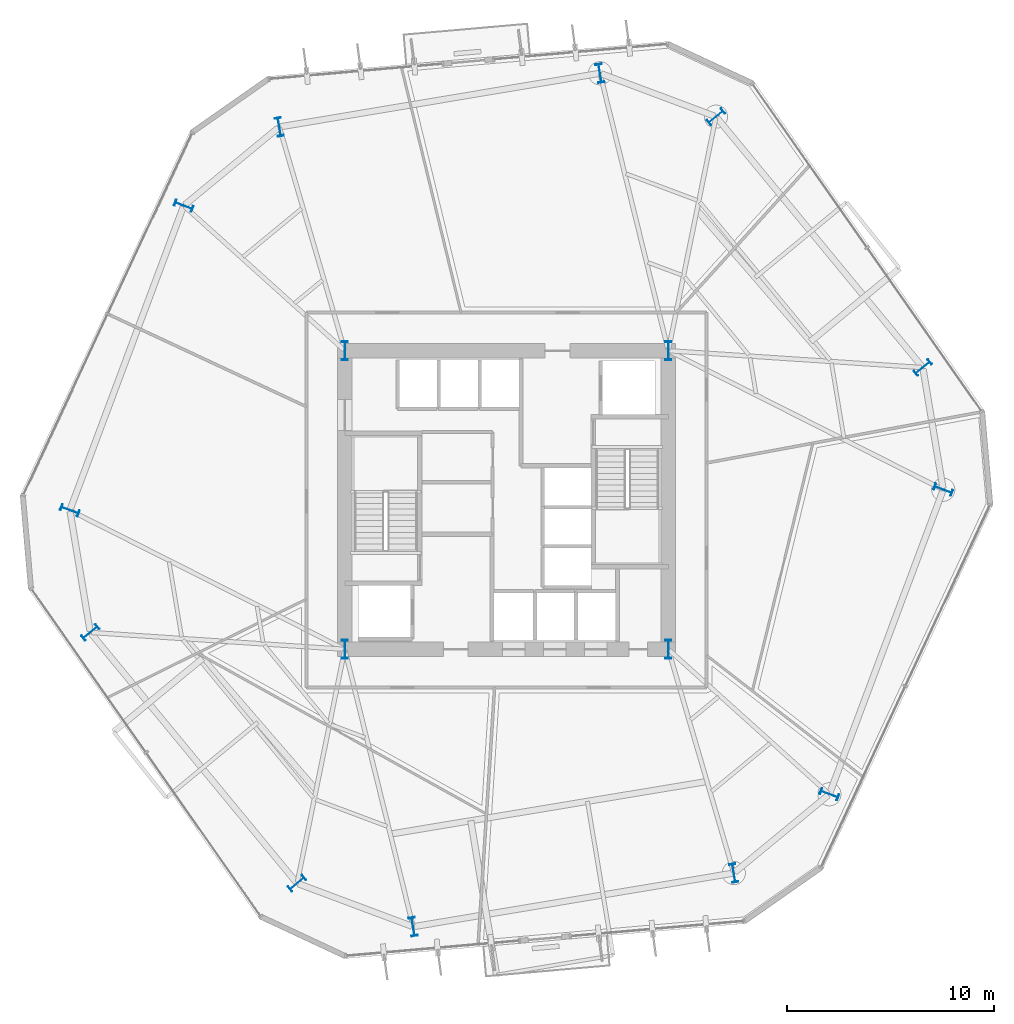
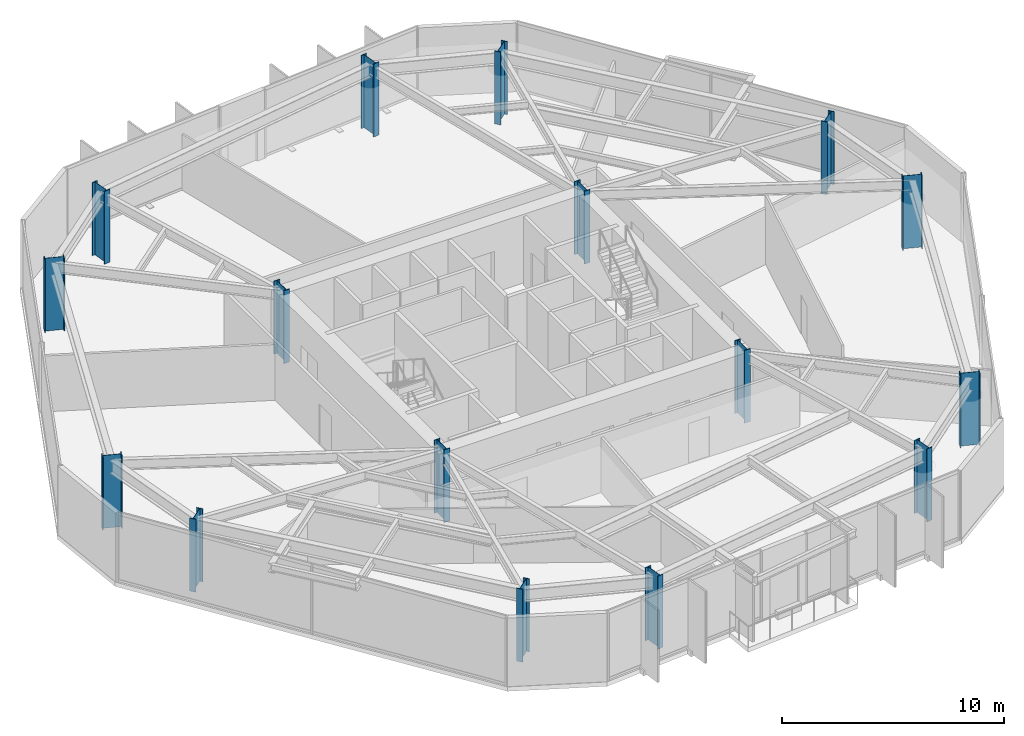
# One storey, part 1 of 11: 16 columns.
"""IFC4 building model written with IfcOpenShell, lengths in metres."""

from ifc_helpers import new_model, si_unit, direction, frame, origin, origin_2d, place, context, subcontext, project, spatial, i_section, extrude, material, material_profile, profile_set, type_object, element, save


model = new_model("IFC4")

# Units and contexts
model_context = context("Model", 3, precision=1e-05, world=origin(), true_north=direction((0.0, 1.0)))
body_context = subcontext(model_context, "Body", "Model", "MODEL_VIEW")
ifc_project = project(units=[si_unit("LENGTHUNIT", "METRE"), si_unit("AREAUNIT", "SQUARE_METRE"), si_unit("VOLUMEUNIT", "CUBIC_METRE"), si_unit("PLANEANGLEUNIT", "RADIAN"), si_unit("MASSUNIT", "GRAM", prefix="KILO")], contexts=[model_context])

# Site, building, storey
site_placement = place(None, origin())
site = spatial("IfcSite", under=ifc_project, at=site_placement, CompositionType="ELEMENT")
building_placement = place(site_placement, origin())
building = spatial("IfcBuilding", under=site, at=building_placement, Name="Kranzbogen Civic Tower", CompositionType="ELEMENT")
storey_placement = place(building_placement, frame((0.0, 0.0, 40.0)))
storey = spatial("IfcBuildingStorey", under=building, at=storey_placement, Name="L09", CompositionType="ELEMENT", Elevation=40.0)

# Columns
ifc_material = material(Name="Steel S460", Category="steel")
ifc_material_profile = material_profile(ifc_material, i_section(OverallWidth=0.302001953125, OverallDepth=0.909912109375, WebThickness=0.02099609375, FlangeThickness=0.0400390625, at=origin_2d()), Name="HEM 900")
ifc_profile_set = profile_set([ifc_material_profile], Name="Steel S460")
column_type = type_object("IfcColumnType", Name="Structural Column HEM 900", PredefinedType="COLUMN", material=ifc_profile_set)
for number, where, z_axis, x_axis, name in (
    (1, (17.199951171875, 17.800048828125, 0.0), (0.0, 0.0, 1.0), (1.0, 0.0, 0.0), "L09 composite core corner column 1"),
    (2, (32.800048828125, 17.800048828125, 0.0), (0.0, 0.0, 1.0), (1.0, 0.0, 0.0), "L09 composite core corner column 2"),
    (3, (32.800048828125, 32.199951171875, 0.0), (0.0, 0.0, 1.0), (1.0, 0.0, 0.0), "L09 composite core corner column 3"),
    (4, (17.199951171875, 32.199951171875, 0.0), (0.0, 0.0, 1.0), (1.0, 0.0, 0.0), "L09 composite core corner column 4"),
    (5, (45.072021484375, 31.385986328125, 0.0), (0.0, 0.0, 1.0), (-0.636078220278, 0.771624583388, 0.0), "L09 tower perimeter tube column 01"),
    (6, (35.09912109375, 43.48388671875, 0.0), (0.0, 0.0, 1.0), (-0.636078220278, 0.771624583388, 0.0), "L09 tower perimeter tube column 02"),
    (7, (29.5048828125, 45.575927734375, 0.0), (0.0, 0.0, 1.0), (0.986285601537, 0.165047605861, 0.0), "L09 tower perimeter tube column 03"),
    (8, (14.0419921875, 42.988037109375, 0.0), (0.0, 0.0, 1.0), (0.986285601537, 0.165047605861, 0.0), "L09 tower perimeter tube column 04"),
    (9, (9.43310546875, 39.18896484375, 0.0), (0.0, 0.0, 1.0), (0.350207381259, 0.936672189248, 0.0), "L09 tower perimeter tube column 05"),
    (10, (3.943115234375, 24.50390625, 0.0), (0.0, 0.0, 1.0), (0.350207381259, 0.936672189248, 0.0), "L09 tower perimeter tube column 06"),
    (11, (4.927978515625, 18.614013671875, 0.0), (0.0, 0.0, 1.0), (-0.636078220278, 0.771624583388, 0.0), "L09 tower perimeter tube column 07"),
    (12, (14.90087890625, 6.51611328125, 0.0), (0.0, 0.0, 1.0), (-0.636078220278, 0.771624583388, 0.0), "L09 tower perimeter tube column 08"),
    (13, (20.4951171875, 4.424072265625, 0.0), (0.0, 0.0, 1.0), (0.986285601537, 0.165047605861, 0.0), "L09 tower perimeter tube column 09"),
    (14, (35.9580078125, 7.011962890625, 0.0), (0.0, 0.0, 1.0), (0.986285601537, 0.165047605861, 0.0), "L09 tower perimeter tube column 10"),
    (15, (40.56689453125, 10.81103515625, 0.0), (0.0, 0.0, 1.0), (0.350207381259, 0.936672189248, 0.0), "L09 tower perimeter tube column 11"),
    (16, (46.056884765625, 25.49609375, 0.0), (0.0, 0.0, 1.0), (0.350207381259, 0.936672189248, 0.0), "L09 tower perimeter tube column 12"),
):
    element("IfcColumn", number, at=place(storey_placement, frame(where, z_axis=z_axis, x_axis=x_axis)), inside=storey, type_object=column_type, Name=name, PredefinedType="COLUMN", context=body_context, shape_type="SweptSolid", body=[
        extrude(i_section(OverallWidth=0.302001953125, OverallDepth=0.909912109375, WebThickness=0.02099609375, FlangeThickness=0.0400390625, at=origin_2d()), origin(), (0.0, 0.0, 1.0), 4.0),
    ])

save(model, "model.ifc")
